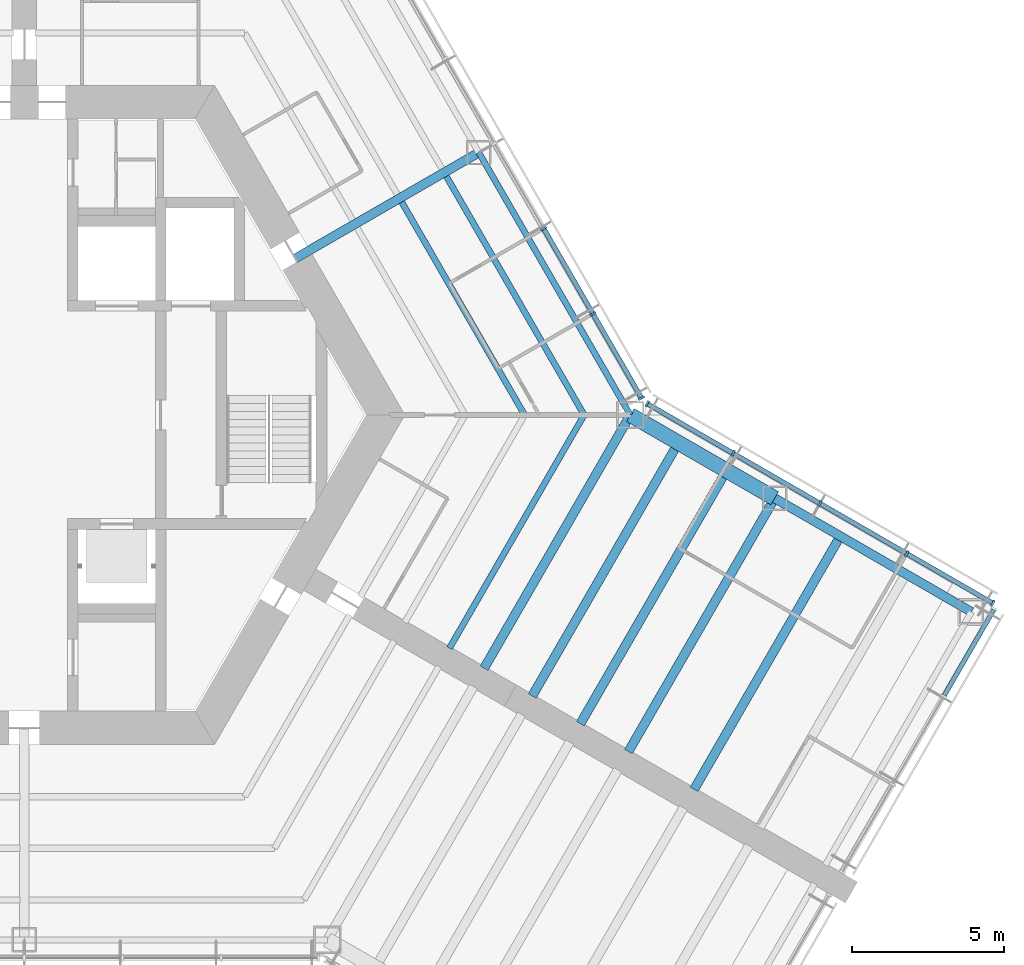
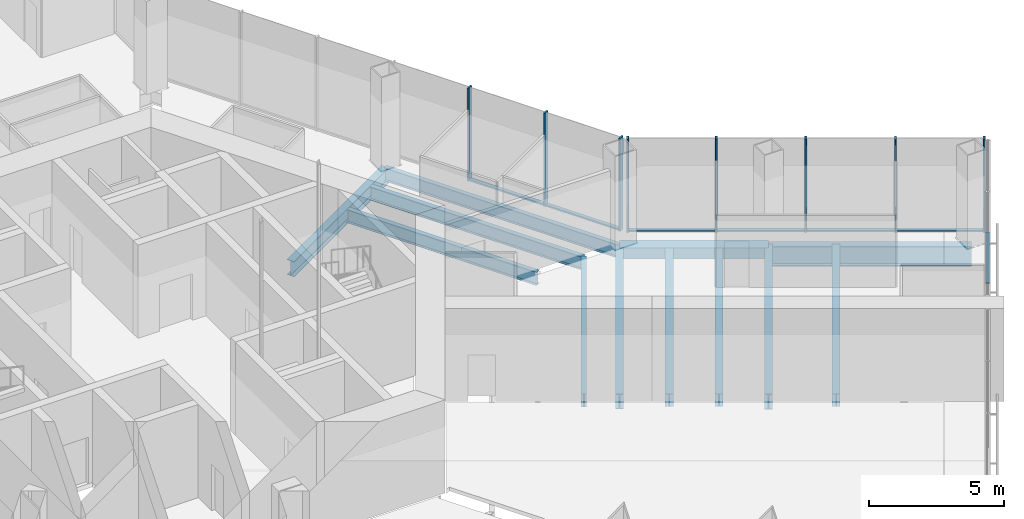
# One storey, part 5 of 18: 15 members, 12 beams, 3 elements without a shape of their own.
"""IFC4 building model written with IfcOpenShell, lengths in metres."""

from ifc_helpers import new_model, si_unit, direction, frame, origin, origin_2d, place, context, subcontext, project, spatial, rectangle, hollow_rectangle, i_section, extrude, material, material_profile, profile_set, type_object, element, aggregate, save


model = new_model("IFC4")

# Units and contexts
model_context = context("Model", 3, precision=1e-05, world=origin(), true_north=direction((0.0, 1.0)))
body_context = subcontext(model_context, "Body", "Model", "MODEL_VIEW")
ifc_project = project(units=[si_unit("LENGTHUNIT", "METRE"), si_unit("AREAUNIT", "SQUARE_METRE"), si_unit("VOLUMEUNIT", "CUBIC_METRE"), si_unit("PLANEANGLEUNIT", "RADIAN"), si_unit("MASSUNIT", "GRAM", prefix="KILO")], contexts=[model_context])

# Site, building, storey
site_placement = place(None, origin())
site = spatial("IfcSite", under=ifc_project, at=site_placement, CompositionType="ELEMENT")
building_placement = place(site_placement, origin())
building = spatial("IfcBuilding", under=site, at=building_placement, Name="Kasaneha Research Tower", CompositionType="ELEMENT")
storey_placement = place(building_placement, frame((0.0, 0.0, 57.0)))
storey = spatial("IfcBuildingStorey", under=building, at=storey_placement, Name="L14", CompositionType="ELEMENT", Elevation=57.0)

# Beams
ifc_material_1 = material(Name="Steel SN490B", Category="steel")
ifc_material_profile_1 = material_profile(ifc_material_1, i_section(OverallWidth=0.199951171875, OverallDepth=0.60009765625, WebThickness=0.010986328125, FlangeThickness=0.01708984375, FilletRadius=0.012939453125, at=origin_2d()), Name="H-600x200x11x17")
ifc_profile_set_1 = profile_set([ifc_material_profile_1], Name="Steel SN490B")
beam_type_1 = type_object("IfcBeamType", Name="B1-4 secondary beam H-600x200x11x17", PredefinedType="JOIST", material=ifc_profile_set_1)
beam_1_placement = place(storey_placement, frame((16.51220703125, 0.0, -0.469970703125), z_axis=(-0.49999707157, 0.866027094508, 0.0), x_axis=(-0.866027094508, -0.49999707157, 0.0)))
element("IfcBeam", 1, at=beam_1_placement, inside=storey, type_object=beam_type_1, Name="Secondary beam RS030L2 L14", PredefinedType="JOIST", context=body_context, shape_type="SweptSolid", body=[
    extrude(i_section(OverallWidth=0.199951171875, OverallDepth=0.60009765625, WebThickness=0.010986328125, FlangeThickness=0.01708984375, FilletRadius=0.012939453125, at=origin_2d()), origin(), (0.0, 0.0, 1.0), 8.10595703125),
])
beam_2_placement = place(storey_placement, frame((18.47509765625, 0.0, -0.469970703125), z_axis=(-0.499990665392, 0.866030793056, 0.0), x_axis=(-0.866030793056, -0.499990665392, 0.0)))
element("IfcBeam", 2, at=beam_2_placement, inside=storey, type_object=beam_type_1, Name="Secondary beam RS030L3 L14", PredefinedType="JOIST", context=body_context, shape_type="SweptSolid", body=[
    extrude(i_section(OverallWidth=0.199951171875, OverallDepth=0.60009765625, WebThickness=0.010986328125, FlangeThickness=0.01708984375, FilletRadius=0.012939453125, at=origin_2d()), origin(), (0.0, 0.0, 1.0), 9.087646484375),
])
beam_3_placement = place(storey_placement, frame((18.47509765625, 0.0, -0.469970703125), z_axis=(-0.499988779951, -0.866031881586, 0.0), x_axis=(0.866031881586, -0.499988779951, 0.0)))
element("IfcBeam", 3, at=beam_3_placement, inside=storey, type_object=beam_type_1, Name="Secondary beam RS330R3 L14", PredefinedType="JOIST", context=body_context, shape_type="SweptSolid", body=[
    extrude(i_section(OverallWidth=0.199951171875, OverallDepth=0.60009765625, WebThickness=0.010986328125, FlangeThickness=0.01708984375, FilletRadius=0.012939453125, at=origin_2d()), origin(), (0.0, 0.0, 1.0), 8.887451171875),
])
ifc_material_2 = material(Name="Steel SN490B", Category="steel")
ifc_material_profile_2 = material_profile(ifc_material_2, i_section(OverallWidth=0.300048828125, OverallDepth=0.58203125, WebThickness=0.011962890625, FlangeThickness=0.01708984375, FilletRadius=0.012939453125, at=origin_2d()), Name="H-582x300x12x17")
ifc_profile_set_2 = profile_set([ifc_material_profile_2], Name="Steel SN490B")
beam_type_2 = type_object("IfcBeamType", Name="B2-4 secondary beam H-582x300x12x17", PredefinedType="JOIST", material=ifc_profile_set_2)
beam_4_placement = place(storey_placement, frame((21.587646484375, -0.916748046875, -0.4609375), z_axis=(-0.499994742786, -0.866028439017, 0.0), x_axis=(0.866028439017, -0.499994742786, 0.0)))
element("IfcBeam", 4, at=beam_4_placement, inside=storey, type_object=beam_type_2, Name="Secondary beam WBCN1 L14", PredefinedType="JOIST", context=body_context, shape_type="SweptSolid", body=[
    extrude(i_section(OverallWidth=0.300048828125, OverallDepth=0.58203125, WebThickness=0.011962890625, FlangeThickness=0.01708984375, FilletRadius=0.012939453125, at=origin_2d()), origin(), (0.0, 0.0, 1.0), 9.64990234375),
])
beam_5_placement = place(storey_placement, frame((23.175537109375, -1.833251953125, -0.4609375), z_axis=(-0.500013717211, -0.866017484004, 0.0), x_axis=(0.866017484004, -0.500013717211, 0.0)))
element("IfcBeam", 5, at=beam_5_placement, inside=storey, type_object=beam_type_2, Name="Secondary beam WBCN2 L14", PredefinedType="JOIST", context=body_context, shape_type="SweptSolid", body=[
    extrude(i_section(OverallWidth=0.300048828125, OverallDepth=0.58203125, WebThickness=0.011962890625, FlangeThickness=0.01708984375, FilletRadius=0.012939453125, at=origin_2d()), origin(), (0.0, 0.0, 1.0), 9.650146484375),
])
beam_6_placement = place(storey_placement, frame((26.92822265625, -4.0, -0.4609375), z_axis=(-0.499994742786, -0.866028439017, 0.0), x_axis=(0.866028439017, -0.499994742786, 0.0)))
element("IfcBeam", 6, at=beam_6_placement, inside=storey, type_object=beam_type_2, Name="Secondary beam WBCN3 L14", PredefinedType="JOIST", context=body_context, shape_type="SweptSolid", body=[
    extrude(i_section(OverallWidth=0.300048828125, OverallDepth=0.58203125, WebThickness=0.011962890625, FlangeThickness=0.01708984375, FilletRadius=0.012939453125, at=origin_2d()), origin(), (0.0, 0.0, 1.0), 9.64990234375),
])
ifc_material_3 = material(Name="Steel SN490B", Category="steel")
ifc_material_profile_3 = material_profile(ifc_material_3, hollow_rectangle(XDim=0.5, YDim=0.5, WallThickness=0.02197265625, at=origin_2d()), Name="BOX-500x500x22")
ifc_profile_set_3 = profile_set([ifc_material_profile_3], Name="Steel SN490B")
beam_type_3 = type_object("IfcBeamType", Name="BC1-4 belt chord BOX-500x500x22", PredefinedType="BEAM", material=ifc_profile_set_3)
beam_7_placement = place(storey_placement, frame((20.0, 0.0, -0.419921875), z_axis=(0.866027397988, -0.499996545922, 0.0), x_axis=(0.499996545922, 0.866027397988, 0.0)))
element("IfcBeam", 7, at=beam_7_placement, inside=storey, type_object=beam_type_3, Name="Belt chord WSCN1 L14", PredefinedType="BEAM", context=body_context, shape_type="SweptSolid", body=[
    extrude(hollow_rectangle(XDim=0.5, YDim=0.5, WallThickness=0.02197265625, at=origin_2d()), origin(), (0.0, 0.0, 1.0), 5.5),
])

# Curtain wall, members
ifc_material_4 = material(Name="Glass and aluminium", Category="aluminium")
curtain_wall_type = type_object("IfcCurtainWallType", Name="Sky lobby curtain wall", PredefinedType="USERDEFINED", material=ifc_material_4)
curtain_wall_1_placement = place(storey_placement, origin())
curtain_wall_1 = element("IfcCurtainWall", 8, at=curtain_wall_1_placement, inside=storey, type_object=curtain_wall_type, Name="CW-S L14 run 06a", ObjectType="UNITISED CURTAIN WALL", PredefinedType="USERDEFINED")
ifc_material_5 = material(Name="Aluminium 6063-T6", Category="aluminium")
ifc_material_profile_4 = material_profile(ifc_material_5, rectangle(XDim=0.070068359375, YDim=0.219970703125, at=origin_2d()), Name="CW-S mullion 70x220")
ifc_profile_set_4 = profile_set([ifc_material_profile_4], Name="Aluminium 6063-T6")
member_type_1 = type_object("IfcMemberType", Name="CW-S mullion", PredefinedType="MULLION", material=ifc_profile_set_4)
member_1_placement = place(storey_placement, frame((31.9609375, -6.212890625, 0.0), z_axis=(0.0, 0.0, 1.0), x_axis=(-0.866025411464, 0.499999986699, 0.0)))
member_1 = element("IfcMember", 9, at=member_1_placement, type_object=member_type_1, Name="CW-S mullion 1", PredefinedType="MULLION", context=body_context, shape_type="SweptSolid", body=[
    extrude(rectangle(XDim=0.070068359375, YDim=0.219970703125, at=origin_2d()), origin(), (0.0, 0.0, 1.0), 4.199951171875),
])
member_2_placement = place(storey_placement, frame((29.125, -4.575439453125, 0.0), z_axis=(0.0, 0.0, 1.0), x_axis=(-0.866025411464, 0.499999986699, 0.0)))
member_2 = element("IfcMember", 10, at=member_2_placement, type_object=member_type_1, Name="CW-S mullion 2", PredefinedType="MULLION", context=body_context, shape_type="SweptSolid", body=[
    extrude(rectangle(XDim=0.070068359375, YDim=0.219970703125, at=origin_2d()), origin(), (0.0, 0.0, 1.0), 4.199951171875),
])
member_3_placement = place(storey_placement, frame((26.258544921875, -2.920654296875, 0.0), z_axis=(0.0, 0.0, 1.0), x_axis=(-0.866025411464, 0.499999986699, 0.0)))
member_3 = element("IfcMember", 11, at=member_3_placement, type_object=member_type_1, Name="CW-S mullion 3", PredefinedType="MULLION", context=body_context, shape_type="SweptSolid", body=[
    extrude(rectangle(XDim=0.070068359375, YDim=0.219970703125, at=origin_2d()), origin(), (0.0, 0.0, 1.0), 4.199951171875),
])
member_4_placement = place(storey_placement, frame((23.39208984375, -1.265625, 0.0), z_axis=(0.0, 0.0, 1.0), x_axis=(-0.866025411464, 0.499999986699, 0.0)))
member_4 = element("IfcMember", 12, at=member_4_placement, type_object=member_type_1, Name="CW-S mullion 4", PredefinedType="MULLION", context=body_context, shape_type="SweptSolid", body=[
    extrude(rectangle(XDim=0.070068359375, YDim=0.219970703125, at=origin_2d()), origin(), (0.0, 0.0, 1.0), 4.199951171875),
])
member_5_placement = place(storey_placement, frame((20.55615234375, 0.371826171875, 0.0), z_axis=(0.0, 0.0, 1.0), x_axis=(-0.866025411464, 0.499999986699, 0.0)))
member_5 = element("IfcMember", 13, at=member_5_placement, type_object=member_type_1, Name="CW-S mullion 5", PredefinedType="MULLION", context=body_context, shape_type="SweptSolid", body=[
    extrude(rectangle(XDim=0.070068359375, YDim=0.219970703125, at=origin_2d()), origin(), (0.0, 0.0, 1.0), 4.199951171875),
])

curtain_wall_2_placement = place(storey_placement, origin())
curtain_wall_2 = element("IfcCurtainWall", 14, at=curtain_wall_2_placement, inside=storey, type_object=curtain_wall_type, Name="CW-S L14 run 07a", ObjectType="UNITISED CURTAIN WALL", PredefinedType="USERDEFINED")
member_6_placement = place(storey_placement, frame((20.371826171875, 0.55615234375, 0.0), z_axis=(0.0, 0.0, 1.0), x_axis=(-0.49999996188, 0.866025425793, 0.0)))
member_6 = element("IfcMember", 15, at=member_6_placement, type_object=member_type_1, Name="CW-S mullion 1", PredefinedType="MULLION", context=body_context, shape_type="SweptSolid", body=[
    extrude(rectangle(XDim=0.070068359375, YDim=0.219970703125, at=origin_2d()), origin(), (0.0, 0.0, 1.0), 4.199951171875),
])
member_7_placement = place(storey_placement, frame((18.76611328125, 3.33740234375, 0.0), z_axis=(0.0, 0.0, 1.0), x_axis=(-0.49999996188, 0.866025425793, 0.0)))
member_7 = element("IfcMember", 16, at=member_7_placement, type_object=member_type_1, Name="CW-S mullion 2", PredefinedType="MULLION", context=body_context, shape_type="SweptSolid", body=[
    extrude(rectangle(XDim=0.070068359375, YDim=0.219970703125, at=origin_2d()), origin(), (0.0, 0.0, 1.0), 4.199951171875),
])
member_8_placement = place(storey_placement, frame((17.142822265625, 6.148681640625, 0.0), z_axis=(0.0, 0.0, 1.0), x_axis=(-0.49999996188, 0.866025425793, 0.0)))
member_8 = element("IfcMember", 17, at=member_8_placement, type_object=member_type_1, Name="CW-S mullion 3", PredefinedType="MULLION", context=body_context, shape_type="SweptSolid", body=[
    extrude(rectangle(XDim=0.070068359375, YDim=0.219970703125, at=origin_2d()), origin(), (0.0, 0.0, 1.0), 4.199951171875),
])

# Curtain wall, member
curtain_wall_3_placement = place(storey_placement, origin())
curtain_wall_3 = element("IfcCurtainWall", 18, at=curtain_wall_3_placement, inside=storey, type_object=curtain_wall_type, Name="CW-S L14 run 05a", ObjectType="UNITISED CURTAIN WALL", PredefinedType="USERDEFINED")
ifc_material_6 = material(Name="Aluminium 6063-T6", Category="aluminium")
ifc_material_profile_5 = material_profile(ifc_material_6, rectangle(XDim=0.159912109375, YDim=0.070068359375, at=origin_2d()), Name="CW-S transom 160x70")
ifc_profile_set_5 = profile_set([ifc_material_profile_5], Name="Aluminium 6063-T6")
member_type_2 = type_object("IfcMemberType", Name="CW-S transom", PredefinedType="USERDEFINED", material=ifc_profile_set_5)
member_9_placement = place(storey_placement, frame((30.362060546875, -9.252197265625, 0.034912109375), z_axis=(0.500003221507, 0.866023543838, 0.0), x_axis=(-0.866023543838, 0.500003221507, 0.0)))
member_9 = element("IfcMember", 19, at=member_9_placement, type_object=member_type_2, Name="CW-S transom 3", ObjectType="TRANSOM", PredefinedType="USERDEFINED", context=body_context, shape_type="SweptSolid", body=[
    extrude(rectangle(XDim=0.159912109375, YDim=0.070068359375, at=origin_2d()), origin(), (0.0, 0.0, 1.0), 3.26171875),
])
aggregate(curtain_wall_3, [member_9])

# Member
member_10_placement = place(storey_placement, frame((31.9306640625, -6.1953125, 0.034912109375), z_axis=(-0.866035889079, 0.499981838497, 0.0), x_axis=(-0.499981838497, -0.866035889079, 0.0)))
member_10 = element("IfcMember", 20, at=member_10_placement, type_object=member_type_2, Name="CW-S transom 1", ObjectType="TRANSOM", PredefinedType="USERDEFINED", context=body_context, shape_type="SweptSolid", body=[
    extrude(rectangle(XDim=0.159912109375, YDim=0.070068359375, at=origin_2d()), origin(), (0.0, 0.0, 1.0), 3.20458984375),
])

member_11_placement = place(storey_placement, frame((29.0947265625, -4.557861328125, 0.034912109375), z_axis=(-0.866041282123, 0.499972496902, 0.0), x_axis=(-0.499972496902, -0.866041282123, 0.0)))
member_11 = element("IfcMember", 21, at=member_11_placement, type_object=member_type_2, Name="CW-S transom 2", ObjectType="TRANSOM", PredefinedType="USERDEFINED", context=body_context, shape_type="SweptSolid", body=[
    extrude(rectangle(XDim=0.159912109375, YDim=0.070068359375, at=origin_2d()), origin(), (0.0, 0.0, 1.0), 3.239990234375),
])

member_12_placement = place(storey_placement, frame((26.228271484375, -2.903076171875, 0.034912109375), z_axis=(-0.866022443901, 0.500005126634, 0.0), x_axis=(-0.500005126634, -0.866022443901, 0.0)))
member_12 = element("IfcMember", 22, at=member_12_placement, type_object=member_type_2, Name="CW-S transom 3", ObjectType="TRANSOM", PredefinedType="USERDEFINED", context=body_context, shape_type="SweptSolid", body=[
    extrude(rectangle(XDim=0.159912109375, YDim=0.070068359375, at=origin_2d()), origin(), (0.0, 0.0, 1.0), 3.23974609375),
])

member_13_placement = place(storey_placement, frame((23.36181640625, -1.248291015625, 0.034912109375), z_axis=(-0.866002901518, 0.500038973044, 0.0), x_axis=(-0.500038973044, -0.866002901518, 0.0)))
member_13 = element("IfcMember", 23, at=member_13_placement, type_object=member_type_2, Name="CW-S transom 4", ObjectType="TRANSOM", PredefinedType="USERDEFINED", context=body_context, shape_type="SweptSolid", body=[
    extrude(rectangle(XDim=0.159912109375, YDim=0.070068359375, at=origin_2d()), origin(), (0.0, 0.0, 1.0), 3.204833984375),
])

aggregate(curtain_wall_1, [member_1, member_2, member_3, member_4, member_5, member_10, member_11, member_12, member_13])

member_14_placement = place(storey_placement, frame((20.354248046875, 0.58642578125, 0.034912109375), z_axis=(-0.500034153546, 0.866005684327, 0.0), x_axis=(-0.866005684327, -0.500034153546, 0.0)))
member_14 = element("IfcMember", 24, at=member_14_placement, type_object=member_type_2, Name="CW-S transom 1", ObjectType="TRANSOM", PredefinedType="USERDEFINED", context=body_context, shape_type="SweptSolid", body=[
    extrude(rectangle(XDim=0.159912109375, YDim=0.070068359375, at=origin_2d()), origin(), (0.0, 0.0, 1.0), 3.141357421875),
])

member_15_placement = place(storey_placement, frame((18.74853515625, 3.36767578125, 0.034912109375), z_axis=(-0.499999683919, 0.866025586274, 0.0), x_axis=(-0.866025586274, -0.499999683919, 0.0)))
member_15 = element("IfcMember", 25, at=member_15_placement, type_object=member_type_2, Name="CW-S transom 2", ObjectType="TRANSOM", PredefinedType="USERDEFINED", context=body_context, shape_type="SweptSolid", body=[
    extrude(rectangle(XDim=0.159912109375, YDim=0.070068359375, at=origin_2d()), origin(), (0.0, 0.0, 1.0), 3.17626953125),
])

aggregate(curtain_wall_2, [member_6, member_7, member_8, member_14, member_15])

# Beams
ifc_material_7 = material(Name="Steel SN490B", Category="steel")
ifc_material_profile_6 = material_profile(ifc_material_7, i_section(OverallWidth=0.300048828125, OverallDepth=0.69189453125, WebThickness=0.012939453125, FlangeThickness=0.02001953125, FilletRadius=0.01806640625, at=origin_2d()), Name="H-692x300x13x20")
ifc_profile_set_6 = profile_set([ifc_material_profile_6], Name="Steel SN490B")
beam_type_4 = type_object("IfcBeamType", Name="G2-4 radial girder H-692x300x13x20", PredefinedType="BEAM", material=ifc_profile_set_6)
beam_8_placement = place(storey_placement, frame((8.941650390625, 5.16259765625, -0.51611328125), z_axis=(0.866039713508, 0.499975214012, 0.0), x_axis=(-0.499975214012, 0.866039713508, 0.0)))
element("IfcBeam", 26, at=beam_8_placement, inside=storey, type_object=beam_type_4, Name="Radial girder RM030 L14", PredefinedType="BEAM", context=body_context, shape_type="SweptSolid", body=[
    extrude(i_section(OverallWidth=0.300048828125, OverallDepth=0.69189453125, WebThickness=0.012939453125, FlangeThickness=0.02001953125, FilletRadius=0.01806640625, at=origin_2d()), origin(), (0.0, 0.0, 1.0), 6.995361328125),
])
ifc_material_8 = material(Name="Steel SN490B", Category="steel")
ifc_material_profile_7 = material_profile(ifc_material_8, i_section(OverallWidth=0.300048828125, OverallDepth=0.69189453125, WebThickness=0.012939453125, FlangeThickness=0.02001953125, FilletRadius=0.01806640625, at=origin_2d()), Name="H-692x300x13x20")
ifc_profile_set_7 = profile_set([ifc_material_profile_7], Name="Steel SN490B")
beam_type_5 = type_object("IfcBeamType", Name="G3-4 plate edge girder H-692x300x13x20", PredefinedType="BEAM", material=ifc_profile_set_7)
beam_9_placement = place(storey_placement, frame((20.0, 0.0, -0.51611328125), z_axis=(-0.499994742786, -0.866028439017, 0.0), x_axis=(0.866028439017, -0.499994742786, 0.0)))
element("IfcBeam", 27, at=beam_9_placement, inside=storey, type_object=beam_type_5, Name="Plate edge girder PECN L14", PredefinedType="BEAM", context=body_context, shape_type="SweptSolid", body=[
    extrude(i_section(OverallWidth=0.300048828125, OverallDepth=0.69189453125, WebThickness=0.012939453125, FlangeThickness=0.02001953125, FilletRadius=0.01806640625, at=origin_2d()), origin(), (0.0, 0.0, 1.0), 9.64990234375),
])
ifc_material_9 = material(Name="Steel SN490B", Category="steel")
ifc_material_profile_8 = material_profile(ifc_material_9, i_section(OverallWidth=0.300048828125, OverallDepth=0.699951171875, WebThickness=0.012939453125, FlangeThickness=0.02392578125, FilletRadius=0.01806640625, at=origin_2d()), Name="H-700x300x13x24")
ifc_profile_set_8 = profile_set([ifc_material_profile_8], Name="Steel SN490B")
beam_type_6 = type_object("IfcBeamType", Name="G4-4 wing girder H-700x300x13x24", PredefinedType="BEAM", material=ifc_profile_set_8)
beam_10_placement = place(storey_placement, frame((24.76318359375, -2.75, -0.52001953125), z_axis=(-0.499994742786, -0.866028439017, 0.0), x_axis=(0.866028439017, -0.499994742786, 0.0)))
element("IfcBeam", 28, at=beam_10_placement, inside=storey, type_object=beam_type_6, Name="Wing girder WGCN L14", PredefinedType="BEAM", context=body_context, shape_type="SweptSolid", body=[
    extrude(i_section(OverallWidth=0.300048828125, OverallDepth=0.699951171875, WebThickness=0.012939453125, FlangeThickness=0.02392578125, FilletRadius=0.01806640625, at=origin_2d()), origin(), (0.0, 0.0, 1.0), 9.64990234375),
])
ifc_material_10 = material(Name="Steel SN490B", Category="steel")
ifc_material_profile_9 = material_profile(ifc_material_10, i_section(OverallWidth=0.198974609375, OverallDepth=0.595947265625, WebThickness=0.010009765625, FlangeThickness=0.014892578125, FilletRadius=0.012939453125, at=origin_2d()), Name="H-596x199x10x15")
ifc_profile_set_9 = profile_set([ifc_material_profile_9], Name="Steel SN490B")
beam_type_7 = type_object("IfcBeamType", Name="SB1-4 spandrel beam H-596x199x10x15", PredefinedType="SPANDREL", material=ifc_profile_set_9)
beam_11_placement = place(storey_placement, frame((20.0, 0.0, -0.468017578125), z_axis=(-0.500004234368, 0.866022959057, 0.0), x_axis=(-0.866022959057, -0.500004234368, 0.0)))
element("IfcBeam", 29, at=beam_11_placement, inside=storey, type_object=beam_type_7, Name="Spandrel beam SR030L L14", PredefinedType="SPANDREL", context=body_context, shape_type="SweptSolid", body=[
    extrude(i_section(OverallWidth=0.198974609375, OverallDepth=0.595947265625, WebThickness=0.010009765625, FlangeThickness=0.014892578125, FilletRadius=0.012939453125, at=origin_2d()), origin(), (0.0, 0.0, 1.0), 10.0),
])
ifc_material_11 = material(Name="Steel SN490B", Category="steel")
ifc_material_profile_10 = material_profile(ifc_material_11, i_section(OverallWidth=0.300048828125, OverallDepth=0.89990234375, WebThickness=0.01611328125, FlangeThickness=0.028076171875, FilletRadius=0.01806640625, at=origin_2d()), Name="H-900x300x16x28")
ifc_profile_set_10 = profile_set([ifc_material_profile_10], Name="Steel SN490B")
beam_type_8 = type_object("IfcBeamType", Name="SB2-4 spandrel beam H-900x300x16x28", PredefinedType="SPANDREL", material=ifc_profile_set_10)
beam_12_placement = place(storey_placement, frame((24.76318359375, -2.75, -0.6201171875), z_axis=(0.866022959057, -0.500004234368, 0.0), x_axis=(0.500004234368, 0.866022959057, 0.0)))
element("IfcBeam", 30, at=beam_12_placement, inside=storey, type_object=beam_type_8, Name="Spandrel beam WSCN2 L14", PredefinedType="SPANDREL", context=body_context, shape_type="SweptSolid", body=[
    extrude(i_section(OverallWidth=0.300048828125, OverallDepth=0.89990234375, WebThickness=0.01611328125, FlangeThickness=0.028076171875, FilletRadius=0.01806640625, at=origin_2d()), origin(), (0.0, 0.0, 1.0), 7.5),
])

save(model, "model.ifc")
